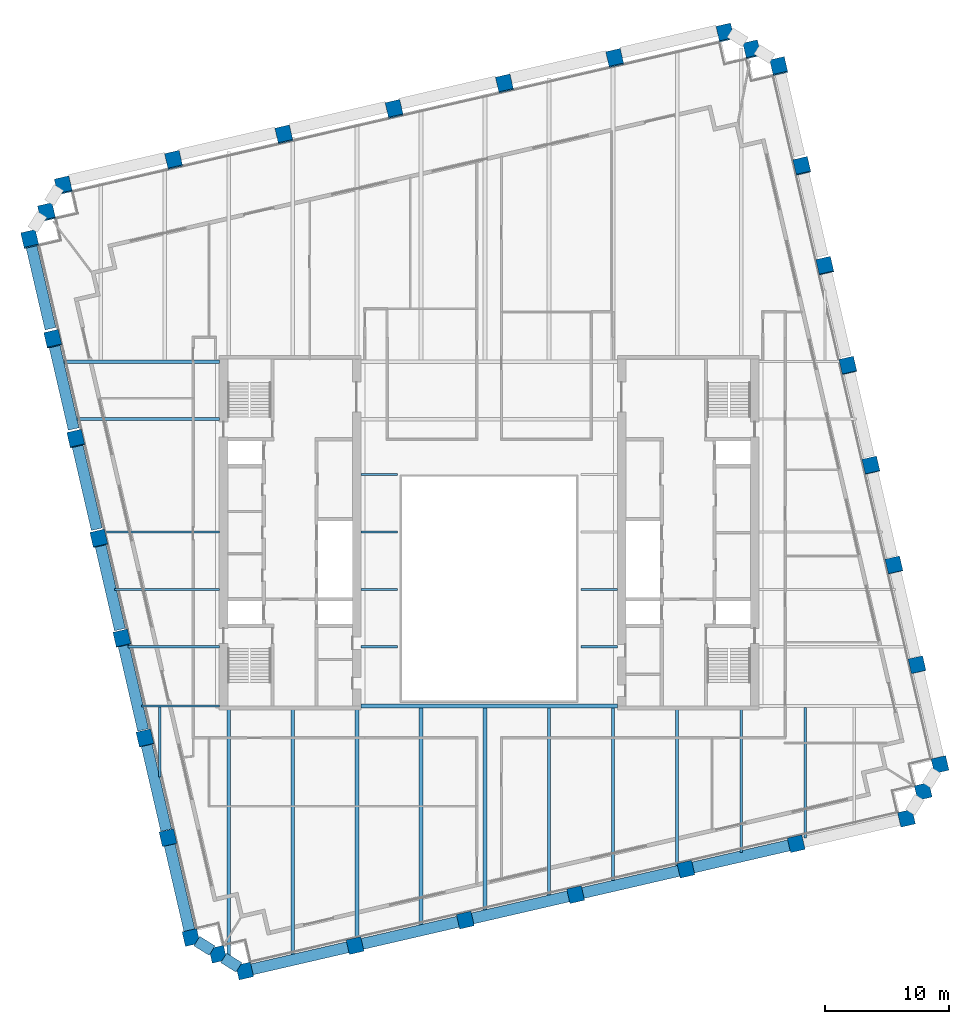
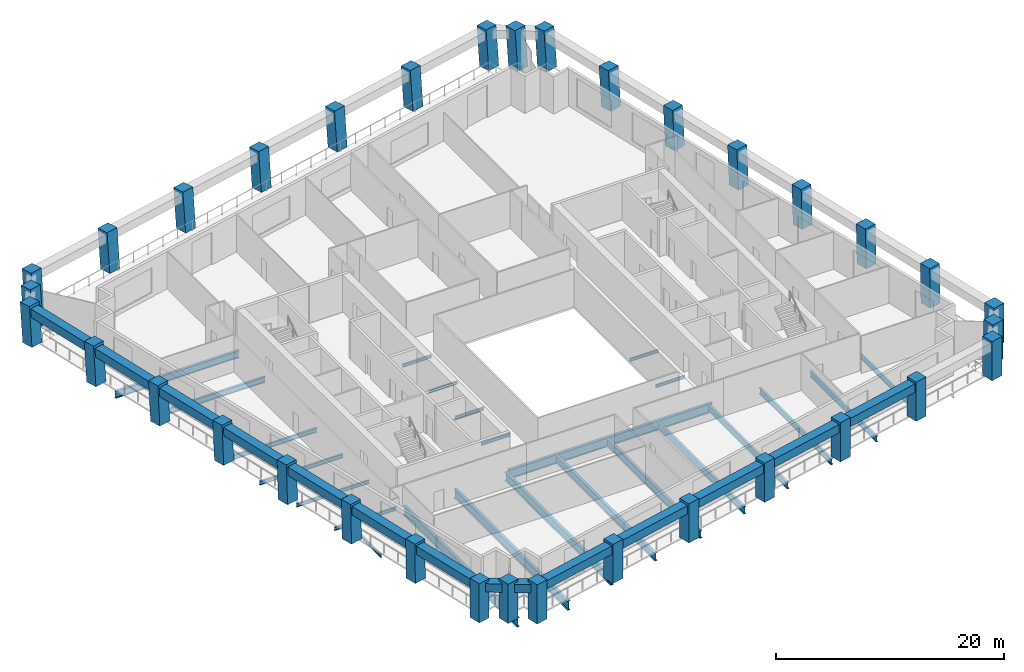
# One storey, part 1 of 10: 38 beams, 34 columns.
"""IFC4 building model written with IfcOpenShell, lengths in metres."""

from ifc_helpers import new_model, si_unit, direction, frame, origin, origin_2d, place, context, subcontext, project, spatial, rectangle, i_section, extrude, material, material_profile, profile_set, type_object, element, save


model = new_model("IFC4")

# Units and contexts
model_context = context("Model", 3, precision=1e-05, world=origin(), true_north=direction((0.0, 1.0)))
body_context = subcontext(model_context, "Body", "Model", "MODEL_VIEW")
ifc_project = project(units=[si_unit("LENGTHUNIT", "METRE"), si_unit("AREAUNIT", "SQUARE_METRE"), si_unit("VOLUMEUNIT", "CUBIC_METRE"), si_unit("PLANEANGLEUNIT", "RADIAN"), si_unit("MASSUNIT", "GRAM", prefix="KILO")], contexts=[model_context])

# Site, building, storey
site_placement = place(None, origin())
site = spatial("IfcSite", under=ifc_project, at=site_placement, CompositionType="ELEMENT")
building_placement = place(site_placement, origin())
building = spatial("IfcBuilding", under=site, at=building_placement, Name="Ogive Exchange Tower", CompositionType="ELEMENT")
storey_placement = place(building_placement, frame((0.0, 0.0, 201.0)))
storey = spatial("IfcBuildingStorey", under=building, at=storey_placement, Name="L44", CompositionType="ELEMENT", Elevation=201.0)

# Columns
ifc_material_1 = material(Name="Precast concrete C70/85 (limestone faced)", Category="masonry")
ifc_material_profile_1 = material_profile(ifc_material_1, rectangle(XDim=1.199951171875, YDim=1.199951171875, at=origin_2d()), Name="1200 x 1200")
ifc_profile_set_1 = profile_set([ifc_material_profile_1], Name="Precast concrete C70/85 (limestone faced)")
column_type = type_object("IfcColumnType", Name="Precast exoskeleton leg 1200 x 1200 C70/85", PredefinedType="COLUMN", material=ifc_profile_set_1)
for number, where, z_axis, x_axis, name in (
    (1, (-19.6494140625, -23.749267578125, 0.0), (0.0, 0.0, 1.0), (0.974370064785, 0.224951054344, 0.0), "Exoskeleton leg 1"),
    (2, (-10.782470703125, -21.7021484375, 0.0), (0.0, 0.0, 1.0), (0.974370064785, 0.224951054344, 0.0), "Exoskeleton leg 2"),
    (3, (-1.915771484375, -19.655029296875, 0.0), (0.0, 0.0, 1.0), (0.974370064785, 0.224951054344, 0.0), "Exoskeleton leg 3"),
    (4, (6.950927734375, -17.60791015625, 0.0), (0.0, 0.0, 1.0), (0.974370064785, 0.224951054344, 0.0), "Exoskeleton leg 4"),
    (5, (15.81787109375, -15.56103515625, 0.0), (0.0, 0.0, 1.0), (0.974370064785, 0.224951054344, 0.0), "Exoskeleton leg 5"),
    (6, (24.6845703125, -13.513916015625, 0.0), (0.0, 0.0, 1.0), (0.974370064785, 0.224951054344, 0.0), "Exoskeleton leg 6"),
    (7, (33.55126953125, -11.466796875, 0.0), (0.0, 0.0, 1.0), (0.974370064785, 0.224951054344, 0.0), "Exoskeleton leg 7"),
    (8, (36.249267578125, -7.1494140625, 0.0), (0.0, 0.0, 1.0), (0.974370064785, 0.224951054344, 0.0), "Exoskeleton leg 8"),
):
    element("IfcColumn", number, at=place(storey_placement, frame(where, z_axis=z_axis, x_axis=x_axis)), inside=storey, type_object=column_type, Name=name, PredefinedType="COLUMN", context=body_context, shape_type="SweptSolid", body=[
        extrude(rectangle(XDim=1.199951171875, YDim=1.199951171875, at=origin_2d()), origin(), (0.0, 0.0, 1.0), 4.199951171875),
    ])
column_1_placement = place(storey_placement, frame((34.39892578125, 0.86474609375, 0.0), z_axis=(-0.00267375834, 0.011741286623, 0.999927493974), x_axis=(-0.975037935076, -0.222038341651, 0.0)))
element("IfcColumn", 9, at=column_1_placement, inside=storey, type_object=column_type, Name="Exoskeleton leg 9", PredefinedType="COLUMN", context=body_context, shape_type="SweptSolid", body=[
    extrude(rectangle(XDim=1.199951171875, YDim=1.199951171875, at=origin_2d()), origin(), (0.0, 0.0, 1.0), 4.2001953125),
])
column_2_placement = place(storey_placement, frame((32.548828125, 8.87890625, 0.0), z_axis=(-0.005404472139, 0.023419379268, 0.999711120452), x_axis=(-0.974391195695, -0.224859506699, 0.0)))
element("IfcColumn", 10, at=column_2_placement, inside=storey, type_object=column_type, Name="Exoskeleton leg 10", PredefinedType="COLUMN", context=body_context, shape_type="SweptSolid", body=[
    extrude(rectangle(XDim=1.199951171875, YDim=1.199951171875, at=origin_2d()), origin(), (0.0, 0.0, 1.0), 4.201171875),
])
column_3_placement = place(storey_placement, frame((30.698486328125, 16.893310546875, 0.0), z_axis=(-0.008074763646, 0.035029370347, 0.999353661826), x_axis=(-0.974445638882, -0.224623455729, 0.0)))
element("IfcColumn", 11, at=column_3_placement, inside=storey, type_object=column_type, Name="Exoskeleton leg 11", PredefinedType="COLUMN", context=body_context, shape_type="SweptSolid", body=[
    extrude(rectangle(XDim=1.199951171875, YDim=1.199951171875, at=origin_2d()), origin(), (0.0, 0.0, 1.0), 4.20263671875),
])
column_4_placement = place(storey_placement, frame((28.848388671875, 24.9072265625, 0.0), z_axis=(-0.010799590338, 0.046798224797, 0.998845981623), x_axis=(-0.974391195695, -0.224859506699, 0.0)))
element("IfcColumn", 12, at=column_4_placement, inside=storey, type_object=column_type, Name="Exoskeleton leg 12", PredefinedType="COLUMN", context=body_context, shape_type="SweptSolid", body=[
    extrude(rectangle(XDim=1.199951171875, YDim=1.199951171875, at=origin_2d()), origin(), (0.0, 0.0, 1.0), 4.204833984375),
])
column_5_placement = place(storey_placement, frame((26.998046875, 32.92138671875, 0.0), z_axis=(-0.013461799865, 0.058373149415, 0.998204064995), x_axis=(-0.974423835271, -0.224718021653, 0.0)))
element("IfcColumn", 13, at=column_5_placement, inside=storey, type_object=column_type, Name="Exoskeleton leg 13", PredefinedType="COLUMN", context=body_context, shape_type="SweptSolid", body=[
    extrude(rectangle(XDim=1.199951171875, YDim=1.199951171875, at=origin_2d()), origin(), (0.0, 0.0, 1.0), 4.20751953125),
])
column_6_placement = place(storey_placement, frame((25.14794921875, 40.935791015625, 0.0), z_axis=(-0.016176212764, 0.069980963462, 0.99741716192), x_axis=(-0.974309502923, -0.225213215672, 0.0)))
element("IfcColumn", 14, at=column_6_placement, inside=storey, type_object=column_type, Name="Exoskeleton leg 14", PredefinedType="COLUMN", context=body_context, shape_type="SweptSolid", body=[
    extrude(rectangle(XDim=1.199951171875, YDim=1.199951171875, at=origin_2d()), origin(), (0.0, 0.0, 1.0), 4.2109375),
])
for number, where, z_axis, x_axis, name in (
    (15, (23.297607421875, 48.94970703125, 0.0), (-0.018825666958, 0.081616506903, 0.99648599592), (-0.974414501624, -0.224758490439, 0.0), "Exoskeleton leg 15"),
    (16, (18.97998046875, 51.647705078125, 0.0), (-0.018825666958, 0.081616506903, 0.99648599592), (-0.974414501624, -0.224758490439, 0.0), "Exoskeleton leg 16"),
    (17, (10.11328125, 49.6005859375, 0.0), (-0.018825666958, 0.081616506903, 0.99648599592), (-0.974414501624, -0.224758490439, 0.0), "Exoskeleton leg 17"),
    (18, (1.24658203125, 47.5537109375, 0.0), (-0.018825755928, 0.08155896722, 0.996490705315), (-0.974379530941, -0.22491004798, 0.0), "Exoskeleton leg 18"),
    (19, (-7.6201171875, 45.506591796875, 0.0), (-0.018883571463, 0.081616417765, 0.996484907603), (-0.974262845894, -0.225414966474, 0.0), "Exoskeleton leg 19"),
    (20, (-16.48681640625, 43.45947265625, 0.0), (-0.018883571463, 0.081616417765, 0.996484907603), (-0.974262845894, -0.225414966474, 0.0), "Exoskeleton leg 20"),
    (21, (-25.353759765625, 41.41259765625, 0.0), (-0.018825755928, 0.08155896722, 0.996490705315), (-0.974379530941, -0.22491004798, 0.0), "Exoskeleton leg 21"),
    (22, (-34.220458984375, 39.365478515625, 0.0), (-0.018825755928, 0.08155896722, 0.996490705315), (-0.974379530941, -0.22491004798, 0.0), "Exoskeleton leg 22"),
    (23, (-36.91845703125, 35.0478515625, 0.0), (-0.018825666958, 0.081616506903, 0.99648599592), (-0.974414501624, -0.224758490439, 0.0), "Exoskeleton leg 23"),
):
    element("IfcColumn", number, at=place(storey_placement, frame(where, z_axis=z_axis, x_axis=x_axis)), inside=storey, type_object=column_type, Name=name, PredefinedType="COLUMN", context=body_context, shape_type="SweptSolid", body=[
        extrude(rectangle(XDim=1.199951171875, YDim=1.199951171875, at=origin_2d()), origin(), (0.0, 0.0, 1.0), 4.21484375),
    ])
column_7_placement = place(storey_placement, frame((-35.068115234375, 27.03369140625, 0.0), z_axis=(-0.016176147103, 0.070038658424, 0.997413113304), x_axis=(-0.97435039746, -0.225036225904, 0.0)))
element("IfcColumn", 24, at=column_7_placement, inside=storey, type_object=column_type, Name="Exoskeleton leg 24", PredefinedType="COLUMN", context=body_context, shape_type="SweptSolid", body=[
    extrude(rectangle(XDim=1.199951171875, YDim=1.199951171875, at=origin_2d()), origin(), (0.0, 0.0, 1.0), 4.2109375),
])
column_8_placement = place(storey_placement, frame((-33.218017578125, 19.01953125, 0.0), z_axis=(-0.013461799865, 0.058373149415, 0.998204064995), x_axis=(-0.974423835271, -0.224718021653, 0.0)))
element("IfcColumn", 25, at=column_8_placement, inside=storey, type_object=column_type, Name="Exoskeleton leg 25", PredefinedType="COLUMN", context=body_context, shape_type="SweptSolid", body=[
    extrude(rectangle(XDim=1.199951171875, YDim=1.199951171875, at=origin_2d()), origin(), (0.0, 0.0, 1.0), 4.20751953125),
])
column_9_placement = place(storey_placement, frame((-31.36767578125, 11.00537109375, 0.0), z_axis=(-0.010799619665, 0.046740289408, 0.998848694028), x_axis=(-0.974329962248, -0.225124686929, 0.0)))
element("IfcColumn", 26, at=column_9_placement, inside=storey, type_object=column_type, Name="Exoskeleton leg 26", PredefinedType="COLUMN", context=body_context, shape_type="SweptSolid", body=[
    extrude(rectangle(XDim=1.199951171875, YDim=1.199951171875, at=origin_2d()), origin(), (0.0, 0.0, 1.0), 4.204833984375),
])
column_10_placement = place(storey_placement, frame((-29.517578125, 2.9912109375, 0.0), z_axis=(-0.0080747472, 0.035087390713, 0.999351626541), x_axis=(-0.974526982896, -0.224270282488, 0.0)))
element("IfcColumn", 27, at=column_10_placement, inside=storey, type_object=column_type, Name="Exoskeleton leg 27", PredefinedType="COLUMN", context=body_context, shape_type="SweptSolid", body=[
    extrude(rectangle(XDim=1.199951171875, YDim=1.199951171875, at=origin_2d()), origin(), (0.0, 0.0, 1.0), 4.20263671875),
])
column_11_placement = place(storey_placement, frame((-27.667236328125, -5.02294921875, 0.0), z_axis=(-0.005404479485, 0.023361298418, 0.999712479335), x_axis=(-0.974268511785, -0.225390476607, 0.0)))
element("IfcColumn", 28, at=column_11_placement, inside=storey, type_object=column_type, Name="Exoskeleton leg 28", PredefinedType="COLUMN", context=body_context, shape_type="SweptSolid", body=[
    extrude(rectangle(XDim=1.199951171875, YDim=1.199951171875, at=origin_2d()), origin(), (0.0, 0.0, 1.0), 4.201171875),
])
column_12_placement = place(storey_placement, frame((-25.817138671875, -13.037109375, 0.0), z_axis=(-0.00267376016, 0.011683169396, 0.9999281747), x_axis=(-0.974798272484, -0.223088161862, 0.0)))
element("IfcColumn", 29, at=column_12_placement, inside=storey, type_object=column_type, Name="Exoskeleton leg 29", PredefinedType="COLUMN", context=body_context, shape_type="SweptSolid", body=[
    extrude(rectangle(XDim=1.199951171875, YDim=1.199951171875, at=origin_2d()), origin(), (0.0, 0.0, 1.0), 4.2001953125),
])
for number, where, z_axis, x_axis, name in (
    (30, (-23.966796875, -21.05126953125, 0.0), (0.0, 0.0, 1.0), (0.974370064785, 0.224951054344, 0.0), "Exoskeleton leg 30"),
    (31, (34.900146484375, -9.30810546875, 0.0), (0.0, 0.0, 1.0), (0.974370064785, 0.224951054344, 0.0), "Exoskeleton leg 31"),
):
    element("IfcColumn", number, at=place(storey_placement, frame(where, z_axis=z_axis, x_axis=x_axis)), inside=storey, type_object=column_type, Name=name, PredefinedType="COLUMN", context=body_context, shape_type="SweptSolid", body=[
        extrude(rectangle(XDim=1.199951171875, YDim=1.199951171875, at=origin_2d()), origin(), (0.0, 0.0, 1.0), 4.199951171875),
    ])
for number, where, z_axis, x_axis, name in (
    (32, (21.138916015625, 50.298828125, 0.0), (-0.018825755928, 0.08155896722, 0.996490705315), (-0.974379530941, -0.22491004798, 0.0), "Exoskeleton leg 32"),
    (33, (-35.5693359375, 37.20654296875, 0.0), (-0.018825666958, 0.081616506903, 0.99648599592), (-0.974414501624, -0.224758490439, 0.0), "Exoskeleton leg 33"),
):
    element("IfcColumn", number, at=place(storey_placement, frame(where, z_axis=z_axis, x_axis=x_axis)), inside=storey, type_object=column_type, Name=name, PredefinedType="COLUMN", context=body_context, shape_type="SweptSolid", body=[
        extrude(rectangle(XDim=1.199951171875, YDim=1.199951171875, at=origin_2d()), origin(), (0.0, 0.0, 1.0), 4.21484375),
    ])
column_13_placement = place(storey_placement, frame((-21.80810546875, -22.400146484375, 0.0), z_axis=(0.0, 0.0, 1.0), x_axis=(0.974370064785, 0.224951054344, 0.0)))
element("IfcColumn", 34, at=column_13_placement, inside=storey, type_object=column_type, Name="Exoskeleton leg 34", PredefinedType="COLUMN", context=body_context, shape_type="SweptSolid", body=[
    extrude(rectangle(XDim=1.199951171875, YDim=1.199951171875, at=origin_2d()), origin(), (0.0, 0.0, 1.0), 4.199951171875),
])

# Beams
ifc_material_2 = material(Name="Steel ASTM A992 Gr50", Category="steel")
ifc_material_profile_2 = material_profile(ifc_material_2, i_section(OverallWidth=0.300048828125, OverallDepth=0.969970703125, WebThickness=0.01611328125, FlangeThickness=0.02099609375, at=origin_2d()), Name="W1000x222")
ifc_profile_set_2 = profile_set([ifc_material_profile_2], Name="Steel ASTM A992 Gr50")
beam_type_1 = type_object("IfcBeamType", Name="Floor beam W1000x222", PredefinedType="JOIST", material=ifc_profile_set_2)
beam_1_placement = place(storey_placement, frame((-20.93115234375, -22.567626953125, -0.68505859375), z_axis=(0.0, 1.0, 0.0), x_axis=(-1.0, 0.0, 0.0)))
element("IfcBeam", 35, at=beam_1_placement, inside=storey, type_object=beam_type_1, Name="Floor beam", PredefinedType="JOIST", context=body_context, shape_type="SweptSolid", body=[
    extrude(i_section(OverallWidth=0.300048828125, OverallDepth=0.969970703125, WebThickness=0.01611328125, FlangeThickness=0.02099609375, at=origin_2d()), origin(), (0.0, 0.0, 1.0), 19.967529296875),
])
beam_2_placement = place(storey_placement, frame((-15.781982421875, -22.54443359375, -0.68505859375), z_axis=(0.0, 1.0, 0.0), x_axis=(-1.0, 0.0, 0.0)))
element("IfcBeam", 36, at=beam_2_placement, inside=storey, type_object=beam_type_1, Name="Floor beam", PredefinedType="JOIST", context=body_context, shape_type="SweptSolid", body=[
    extrude(i_section(OverallWidth=0.300048828125, OverallDepth=0.969970703125, WebThickness=0.01611328125, FlangeThickness=0.02099609375, at=origin_2d()), origin(), (0.0, 0.0, 1.0), 19.9443359375),
])
ifc_material_profile_3 = material_profile(ifc_material_2, i_section(OverallWidth=0.1650390625, OverallDepth=0.31005859375, WebThickness=0.005859375, FlangeThickness=0.009765625, at=origin_2d()), Name="W310x38.7")
ifc_profile_set_3 = profile_set([ifc_material_profile_3], Name="Steel ASTM A992 Gr50")
beam_type_2 = type_object("IfcBeamType", Name="Floor beam W310x38.7", PredefinedType="JOIST", material=ifc_profile_set_3)
for number, where, z_axis, x_axis, name in (
    (37, (-10.320068359375, 2.3212890625, -0.35498046875), (1.0, 0.0, 0.0), (0.0, 1.0, 0.0), "Floor beam"),
    (38, (7.3701171875, 2.3212890625, -0.35498046875), (1.0, 0.0, 0.0), (0.0, 1.0, 0.0), "Floor beam"),
    (39, (-10.320068359375, 6.9326171875, -0.35498046875), (1.0, 0.0, 0.0), (0.0, 1.0, 0.0), "Floor beam"),
    (40, (7.3701171875, 6.9326171875, -0.35498046875), (1.0, 0.0, 0.0), (0.0, 1.0, 0.0), "Floor beam"),
    (41, (-10.320068359375, 11.543701171875, -0.35498046875), (1.0, 0.0, 0.0), (0.0, 1.0, 0.0), "Floor beam"),
):
    element("IfcBeam", number, at=place(storey_placement, frame(where, z_axis=z_axis, x_axis=x_axis)), inside=storey, type_object=beam_type_2, Name=name, PredefinedType="JOIST", context=body_context, shape_type="SweptSolid", body=[
        extrude(i_section(OverallWidth=0.1650390625, OverallDepth=0.31005859375, WebThickness=0.005859375, FlangeThickness=0.009765625, at=origin_2d()), origin(), (0.0, 0.0, 1.0), 2.949951171875),
    ])
beam_3_placement = place(storey_placement, frame((-26.48046875, -8.16357421875, -0.35498046875), z_axis=(0.0, 1.0, 0.0), x_axis=(-1.0, 0.0, 0.0)))
element("IfcBeam", 42, at=beam_3_placement, inside=storey, type_object=beam_type_2, Name="Floor beam", PredefinedType="JOIST", context=body_context, shape_type="SweptSolid", body=[
    extrude(i_section(OverallWidth=0.1650390625, OverallDepth=0.31005859375, WebThickness=0.005859375, FlangeThickness=0.009765625, at=origin_2d()), origin(), (0.0, 0.0, 1.0), 5.633056640625),
])
ifc_material_profile_4 = material_profile(ifc_material_2, i_section(OverallWidth=0.1708984375, OverallDepth=0.35595703125, WebThickness=0.00732421875, FlangeThickness=0.01171875, at=origin_2d()), Name="W360x51")
ifc_profile_set_4 = profile_set([ifc_material_profile_4], Name="Steel ASTM A992 Gr50")
beam_type_3 = type_object("IfcBeamType", Name="Floor beam W360x51", PredefinedType="JOIST", material=ifc_profile_set_4)
beam_4_placement = place(storey_placement, frame((-29.051025390625, 2.3212890625, -0.3779296875), z_axis=(1.0, 0.0, 0.0), x_axis=(0.0, 1.0, 0.0)))
element("IfcBeam", 43, at=beam_4_placement, inside=storey, type_object=beam_type_3, Name="Floor beam", PredefinedType="JOIST", context=body_context, shape_type="SweptSolid", body=[
    extrude(i_section(OverallWidth=0.1708984375, OverallDepth=0.35595703125, WebThickness=0.00732421875, FlangeThickness=0.01171875, at=origin_2d()), origin(), (0.0, 0.0, 1.0), 7.37109375),
])
ifc_material_profile_5 = material_profile(ifc_material_2, i_section(OverallWidth=0.177978515625, OverallDepth=0.406005859375, WebThickness=0.0078125, FlangeThickness=0.0126953125, at=origin_2d()), Name="W410x60")
ifc_profile_set_5 = profile_set([ifc_material_profile_5], Name="Steel ASTM A992 Gr50")
beam_type_4 = type_object("IfcBeamType", Name="Floor beam W410x60", PredefinedType="JOIST", material=ifc_profile_set_5)
beam_5_placement = place(storey_placement, frame((-30.115478515625, 6.9326171875, -0.403076171875), z_axis=(1.0, 0.0, 0.0), x_axis=(0.0, 1.0, 0.0)))
element("IfcBeam", 44, at=beam_5_placement, inside=storey, type_object=beam_type_4, Name="Floor beam", PredefinedType="JOIST", context=body_context, shape_type="SweptSolid", body=[
    extrude(i_section(OverallWidth=0.177978515625, OverallDepth=0.406005859375, WebThickness=0.0078125, FlangeThickness=0.0126953125, at=origin_2d()), origin(), (0.0, 0.0, 1.0), 8.435546875),
])
ifc_material_profile_6 = material_profile(ifc_material_2, i_section(OverallWidth=0.19091796875, OverallDepth=0.45703125, WebThickness=0.009033203125, FlangeThickness=0.014404296875, at=origin_2d()), Name="W460x74")
ifc_profile_set_6 = profile_set([ifc_material_profile_6], Name="Steel ASTM A992 Gr50")
beam_type_5 = type_object("IfcBeamType", Name="Floor beam W460x74", PredefinedType="JOIST", material=ifc_profile_set_6)
beam_6_placement = place(storey_placement, frame((-31.0302734375, 11.543701171875, -0.428466796875), z_axis=(1.0, 0.0, 0.0), x_axis=(0.0, 1.0, 0.0)))
element("IfcBeam", 45, at=beam_6_placement, inside=storey, type_object=beam_type_5, Name="Floor beam", PredefinedType="JOIST", context=body_context, shape_type="SweptSolid", body=[
    extrude(i_section(OverallWidth=0.19091796875, OverallDepth=0.45703125, WebThickness=0.009033203125, FlangeThickness=0.014404296875, at=origin_2d()), origin(), (0.0, 0.0, 1.0), 9.350341796875),
])
ifc_material_profile_7 = material_profile(ifc_material_2, i_section(OverallWidth=0.1669921875, OverallDepth=0.535888671875, WebThickness=0.01025390625, FlangeThickness=0.0166015625, at=origin_2d()), Name="W530x85")
ifc_profile_set_7 = profile_set([ifc_material_profile_7], Name="Steel ASTM A992 Gr50")
beam_type_6 = type_object("IfcBeamType", Name="Floor beam W530x85", PredefinedType="JOIST", material=ifc_profile_set_7)
beam_7_placement = place(storey_placement, frame((25.4111328125, -13.0341796875, -0.468017578125), z_axis=(0.0, 1.0, 0.0), x_axis=(-1.0, 0.0, 0.0)))
element("IfcBeam", 46, at=beam_7_placement, inside=storey, type_object=beam_type_6, Name="Floor beam", PredefinedType="JOIST", context=body_context, shape_type="SweptSolid", body=[
    extrude(i_section(OverallWidth=0.1669921875, OverallDepth=0.535888671875, WebThickness=0.01025390625, FlangeThickness=0.0166015625, at=origin_2d()), origin(), (0.0, 0.0, 1.0), 10.45556640625),
])
ifc_material_profile_8 = material_profile(ifc_material_2, i_section(OverallWidth=0.22802734375, OverallDepth=0.60205078125, WebThickness=0.010498046875, FlangeThickness=0.014892578125, at=origin_2d()), Name="W610x101")
ifc_profile_set_8 = profile_set([ifc_material_profile_8], Name="Steel ASTM A992 Gr50")
beam_type_7 = type_object("IfcBeamType", Name="Floor beam W610x101", PredefinedType="JOIST", material=ifc_profile_set_8)
beam_8_placement = place(storey_placement, frame((-33.126220703125, 20.62255859375, -0.5009765625), z_axis=(1.0, 0.0, 0.0), x_axis=(0.0, 1.0, 0.0)))
element("IfcBeam", 47, at=beam_8_placement, inside=storey, type_object=beam_type_7, Name="Floor beam", PredefinedType="JOIST", context=body_context, shape_type="SweptSolid", body=[
    extrude(i_section(OverallWidth=0.22802734375, OverallDepth=0.60205078125, WebThickness=0.010498046875, FlangeThickness=0.014892578125, at=origin_2d()), origin(), (0.0, 0.0, 1.0), 11.4462890625),
])
beam_9_placement = place(storey_placement, frame((20.261962890625, -14.22314453125, -0.5009765625), z_axis=(0.0, 1.0, 0.0), x_axis=(-1.0, 0.0, 0.0)))
element("IfcBeam", 48, at=beam_9_placement, inside=storey, type_object=beam_type_7, Name="Floor beam", PredefinedType="JOIST", context=body_context, shape_type="SweptSolid", body=[
    extrude(i_section(OverallWidth=0.22802734375, OverallDepth=0.60205078125, WebThickness=0.010498046875, FlangeThickness=0.014892578125, at=origin_2d()), origin(), (0.0, 0.0, 1.0), 11.623046875),
])
ifc_material_profile_9 = material_profile(ifc_material_2, i_section(OverallWidth=0.22900390625, OverallDepth=0.612060546875, WebThickness=0.011962890625, FlangeThickness=0.01953125, at=origin_2d()), Name="W610x125")
ifc_profile_set_9 = profile_set([ifc_material_profile_9], Name="Steel ASTM A992 Gr50")
beam_type_8 = type_object("IfcBeamType", Name="Floor beam W610x125", PredefinedType="JOIST", material=ifc_profile_set_9)
beam_10_placement = place(storey_placement, frame((15.11279296875, -15.261962890625, -0.506103515625), z_axis=(0.0, 1.0, 0.0), x_axis=(-1.0, 0.0, 0.0)))
element("IfcBeam", 49, at=beam_10_placement, inside=storey, type_object=beam_type_8, Name="Floor beam", PredefinedType="JOIST", context=body_context, shape_type="SweptSolid", body=[
    extrude(i_section(OverallWidth=0.22900390625, OverallDepth=0.612060546875, WebThickness=0.011962890625, FlangeThickness=0.01953125, at=origin_2d()), origin(), (0.0, 0.0, 1.0), 12.661865234375),
])
ifc_material_profile_10 = material_profile(ifc_material_2, i_section(OverallWidth=0.25390625, OverallDepth=0.677978515625, WebThickness=0.01171875, FlangeThickness=0.016357421875, at=origin_2d()), Name="W690x125")
ifc_profile_set_10 = profile_set([ifc_material_profile_10], Name="Steel ASTM A992 Gr50")
beam_type_9 = type_object("IfcBeamType", Name="Floor beam W690x125", PredefinedType="JOIST", material=ifc_profile_set_10)
beam_11_placement = place(storey_placement, frame((9.963623046875, -16.45068359375, -0.5390625), z_axis=(0.0, 1.0, 0.0), x_axis=(-1.0, 0.0, 0.0)))
element("IfcBeam", 50, at=beam_11_placement, inside=storey, type_object=beam_type_9, Name="Floor beam", PredefinedType="JOIST", context=body_context, shape_type="SweptSolid", body=[
    extrude(i_section(OverallWidth=0.25390625, OverallDepth=0.677978515625, WebThickness=0.01171875, FlangeThickness=0.016357421875, at=origin_2d()), origin(), (0.0, 0.0, 1.0), 13.855712890625),
])
ifc_material_profile_11 = material_profile(ifc_material_2, i_section(OverallWidth=0.26708984375, OverallDepth=0.75390625, WebThickness=0.01318359375, FlangeThickness=0.01708984375, at=origin_2d()), Name="W760x147")
ifc_profile_set_11 = profile_set([ifc_material_profile_11], Name="Steel ASTM A992 Gr50")
beam_type_10 = type_object("IfcBeamType", Name="Floor beam W760x147", PredefinedType="JOIST", material=ifc_profile_set_11)
beam_12_placement = place(storey_placement, frame((4.814697265625, -17.789306640625, -0.576904296875), z_axis=(0.0, 1.0, 0.0), x_axis=(-1.0, 0.0, 0.0)))
element("IfcBeam", 51, at=beam_12_placement, inside=storey, type_object=beam_type_10, Name="Floor beam", PredefinedType="JOIST", context=body_context, shape_type="SweptSolid", body=[
    extrude(i_section(OverallWidth=0.26708984375, OverallDepth=0.75390625, WebThickness=0.01318359375, FlangeThickness=0.01708984375, at=origin_2d()), origin(), (0.0, 0.0, 1.0), 15.1943359375),
])
ifc_material_profile_12 = material_profile(ifc_material_2, i_section(OverallWidth=0.2919921875, OverallDepth=0.8359375, WebThickness=0.013916015625, FlangeThickness=0.018798828125, at=origin_2d()), Name="W840x176")
ifc_profile_set_12 = profile_set([ifc_material_profile_12], Name="Steel ASTM A992 Gr50")
beam_type_11 = type_object("IfcBeamType", Name="Floor beam W840x176", PredefinedType="JOIST", material=ifc_profile_set_12)
beam_13_placement = place(storey_placement, frame((-5.483642578125, -20.01708984375, -0.617919921875), z_axis=(0.0, 1.0, 0.0), x_axis=(-1.0, 0.0, 0.0)))
element("IfcBeam", 52, at=beam_13_placement, inside=storey, type_object=beam_type_11, Name="Floor beam", PredefinedType="JOIST", context=body_context, shape_type="SweptSolid", body=[
    extrude(i_section(OverallWidth=0.2919921875, OverallDepth=0.8359375, WebThickness=0.013916015625, FlangeThickness=0.018798828125, at=origin_2d()), origin(), (0.0, 0.0, 1.0), 17.422119140625),
])
beam_14_placement = place(storey_placement, frame((-0.334716796875, -18.978271484375, -0.617919921875), z_axis=(0.0, 1.0, 0.0), x_axis=(-1.0, 0.0, 0.0)))
element("IfcBeam", 53, at=beam_14_placement, inside=storey, type_object=beam_type_11, Name="Floor beam", PredefinedType="JOIST", context=body_context, shape_type="SweptSolid", body=[
    extrude(i_section(OverallWidth=0.2919921875, OverallDepth=0.8359375, WebThickness=0.013916015625, FlangeThickness=0.018798828125, at=origin_2d()), origin(), (0.0, 0.0, 1.0), 16.38330078125),
])
ifc_material_profile_13 = material_profile(ifc_material_2, i_section(OverallWidth=0.304931640625, OverallDepth=0.904052734375, WebThickness=0.01513671875, FlangeThickness=0.02001953125, at=origin_2d()), Name="W920x201")
ifc_profile_set_13 = profile_set([ifc_material_profile_13], Name="Steel ASTM A992 Gr50")
beam_type_12 = type_object("IfcBeamType", Name="Floor beam W920x201", PredefinedType="JOIST", material=ifc_profile_set_13)
beam_15_placement = place(storey_placement, frame((-10.6328125, -21.205810546875, -0.652099609375), z_axis=(0.0, 1.0, 0.0), x_axis=(-1.0, 0.0, 0.0)))
element("IfcBeam", 54, at=beam_15_placement, inside=storey, type_object=beam_type_12, Name="Floor beam", PredefinedType="JOIST", context=body_context, shape_type="SweptSolid", body=[
    extrude(i_section(OverallWidth=0.304931640625, OverallDepth=0.904052734375, WebThickness=0.01513671875, FlangeThickness=0.02001953125, at=origin_2d()), origin(), (0.0, 0.0, 1.0), 18.605712890625),
])
ifc_material_profile_14 = material_profile(ifc_material_2, i_section(OverallWidth=0.300048828125, OverallDepth=0.97998046875, WebThickness=0.0166015625, FlangeThickness=0.026123046875, at=origin_2d()), Name="W1000x249")
ifc_profile_set_14 = profile_set([ifc_material_profile_14], Name="Steel ASTM A992 Gr50")
beam_type_13 = type_object("IfcBeamType", Name="Girder W1000x249", PredefinedType="BEAM", material=ifc_profile_set_14)
beam_16_placement = place(storey_placement, frame((-10.320068359375, -2.445068359375, -0.68994140625), z_axis=(1.0, 0.0, 0.0), x_axis=(0.0, 1.0, 0.0)))
element("IfcBeam", 55, at=beam_16_placement, inside=storey, type_object=beam_type_13, Name="Header girder", PredefinedType="BEAM", context=body_context, shape_type="SweptSolid", body=[
    extrude(i_section(OverallWidth=0.300048828125, OverallDepth=0.97998046875, WebThickness=0.0166015625, FlangeThickness=0.026123046875, at=origin_2d()), origin(), (0.0, 0.0, 1.0), 20.64013671875),
])
ifc_material_profile_15 = material_profile(ifc_material_2, i_section(OverallWidth=0.1650390625, OverallDepth=0.31005859375, WebThickness=0.005859375, FlangeThickness=0.009765625, at=origin_2d()), Name="W310x38.7")
ifc_profile_set_15 = profile_set([ifc_material_profile_15], Name="Steel ASTM A992 Gr50")
beam_type_14 = type_object("IfcBeamType", Name="Girder W310x38.7", PredefinedType="BEAM", material=ifc_profile_set_15)
beam_17_placement = place(storey_placement, frame((-10.320068359375, 16.155029296875, -0.35498046875), z_axis=(1.0, 0.0, 0.0), x_axis=(0.0, 1.0, 0.0)))
element("IfcBeam", 56, at=beam_17_placement, inside=storey, type_object=beam_type_14, Name="Trimmer girder", PredefinedType="BEAM", context=body_context, shape_type="SweptSolid", body=[
    extrude(i_section(OverallWidth=0.1650390625, OverallDepth=0.31005859375, WebThickness=0.005859375, FlangeThickness=0.009765625, at=origin_2d()), origin(), (0.0, 0.0, 1.0), 2.949951171875),
])
ifc_material_profile_16 = material_profile(ifc_material_2, i_section(OverallWidth=0.1708984375, OverallDepth=0.35595703125, WebThickness=0.00732421875, FlangeThickness=0.01171875, at=origin_2d()), Name="W360x51")
ifc_profile_set_16 = profile_set([ifc_material_profile_16], Name="Steel ASTM A992 Gr50")
beam_type_15 = type_object("IfcBeamType", Name="Girder W360x51", PredefinedType="BEAM", material=ifc_profile_set_16)
beam_18_placement = place(storey_placement, frame((-27.95068359375, -2.445068359375, -0.3779296875), z_axis=(1.0, 0.0, 0.0), x_axis=(0.0, 1.0, 0.0)))
element("IfcBeam", 57, at=beam_18_placement, inside=storey, type_object=beam_type_15, Name="Header girder", PredefinedType="BEAM", context=body_context, shape_type="SweptSolid", body=[
    extrude(i_section(OverallWidth=0.1708984375, OverallDepth=0.35595703125, WebThickness=0.00732421875, FlangeThickness=0.01171875, at=origin_2d()), origin(), (0.0, 0.0, 1.0), 6.270751953125),
])
ifc_material_profile_17 = material_profile(ifc_material_2, i_section(OverallWidth=0.26708984375, OverallDepth=0.75390625, WebThickness=0.01318359375, FlangeThickness=0.01708984375, at=origin_2d()), Name="W760x147")
ifc_profile_set_17 = profile_set([ifc_material_profile_17], Name="Steel ASTM A992 Gr50")
beam_type_16 = type_object("IfcBeamType", Name="Girder W760x147", PredefinedType="BEAM", material=ifc_profile_set_17)
beam_19_placement = place(storey_placement, frame((-34.193359375, 25.2451171875, -0.576904296875), z_axis=(1.0, 0.0, 0.0), x_axis=(0.0, 1.0, 0.0)))
element("IfcBeam", 58, at=beam_19_placement, inside=storey, type_object=beam_type_16, Name="Header girder", PredefinedType="BEAM", context=body_context, shape_type="SweptSolid", body=[
    extrude(i_section(OverallWidth=0.26708984375, OverallDepth=0.75390625, WebThickness=0.01318359375, FlangeThickness=0.01708984375, at=origin_2d()), origin(), (0.0, 0.0, 1.0), 12.513427734375),
])
ifc_material_profile_18 = material_profile(ifc_material_1, rectangle(XDim=0.89990234375, YDim=0.89990234375, at=origin_2d()), Name="900 x 900")
ifc_profile_set_18 = profile_set([ifc_material_profile_18], Name="Precast concrete C70/85 (limestone faced)")
beam_type_17 = type_object("IfcBeamType", Name="Precast spandrel 900 x 900 C70/85", PredefinedType="SPANDREL", material=ifc_profile_set_18)
beam_20_placement = place(storey_placement, frame((-19.084228515625, -23.61865234375, 3.5), z_axis=(0.974369944206, 0.224951576629, 0.0), x_axis=(-0.224951576629, 0.974369944206, 0.0)))
element("IfcBeam", 59, at=beam_20_placement, inside=storey, type_object=beam_type_17, Name="Spandrel 1", PredefinedType="SPANDREL", context=body_context, shape_type="SweptSolid", body=[
    extrude(rectangle(XDim=0.89990234375, YDim=0.89990234375, at=origin_2d()), origin(), (0.0, 0.0, 1.0), 7.940185546875),
])
beam_21_placement = place(storey_placement, frame((-10.21728515625, -21.57177734375, 3.5), z_axis=(0.974368388194, 0.224958316335, 0.0), x_axis=(-0.224958316335, 0.974368388194, 0.0)))
element("IfcBeam", 60, at=beam_21_placement, inside=storey, type_object=beam_type_17, Name="Spandrel 2", PredefinedType="SPANDREL", context=body_context, shape_type="SweptSolid", body=[
    extrude(rectangle(XDim=0.89990234375, YDim=0.89990234375, at=origin_2d()), origin(), (0.0, 0.0, 1.0), 7.93994140625),
])
for number, where, z_axis, x_axis, name in (
    (61, (-1.3505859375, -19.524658203125, 3.5), (0.974369944206, 0.224951576629, 0.0), (-0.224951576629, 0.974369944206, 0.0), "Spandrel 3"),
    (62, (7.51611328125, -17.4775390625, 3.5), (0.974369944206, 0.224951576629, 0.0), (-0.224951576629, 0.974369944206, 0.0), "Spandrel 4"),
    (63, (16.3828125, -15.430419921875, 3.5), (0.974369944206, 0.224951576629, 0.0), (-0.224951576629, 0.974369944206, 0.0), "Spandrel 5"),
):
    element("IfcBeam", number, at=place(storey_placement, frame(where, z_axis=z_axis, x_axis=x_axis)), inside=storey, type_object=beam_type_17, Name=name, PredefinedType="SPANDREL", context=body_context, shape_type="SweptSolid", body=[
        extrude(rectangle(XDim=0.89990234375, YDim=0.89990234375, at=origin_2d()), origin(), (0.0, 0.0, 1.0), 7.940185546875),
    ])
beam_22_placement = place(storey_placement, frame((-36.8671875, 34.82666015625, 3.5), z_axis=(0.224944705742, -0.974371530454, 0.0), x_axis=(0.974371530454, 0.224944705742, 0.0)))
element("IfcBeam", 64, at=beam_22_placement, inside=storey, type_object=beam_type_17, Name="Spandrel 26", PredefinedType="SPANDREL", context=body_context, shape_type="SweptSolid", body=[
    extrude(rectangle(XDim=0.89990234375, YDim=0.89990234375, at=origin_2d()), origin(), (0.0, 0.0, 1.0), 7.115478515625),
])
for number, where, z_axis, x_axis, name in (
    (65, (-35.005615234375, 26.76318359375, 3.5), (0.224952226322, -0.974369794212, 0.0), (0.974369794212, 0.224952226322, 0.0), "Spandrel 27"),
    (66, (-33.144287109375, 18.699951171875, 3.5), (0.224952226322, -0.974369794212, 0.0), (0.974369794212, 0.224952226322, 0.0), "Spandrel 28"),
):
    element("IfcBeam", number, at=place(storey_placement, frame(where, z_axis=z_axis, x_axis=x_axis)), inside=storey, type_object=beam_type_17, Name=name, PredefinedType="SPANDREL", context=body_context, shape_type="SweptSolid", body=[
        extrude(rectangle(XDim=0.89990234375, YDim=0.89990234375, at=origin_2d()), origin(), (0.0, 0.0, 1.0), 7.115234375),
    ])
for number, where, z_axis, x_axis, name in (
    (67, (-31.28271484375, 10.63671875, 3.5), (0.224977280483, -0.974364009632, 0.0), (0.974364009632, 0.224977280483, 0.0), "Spandrel 29"),
    (68, (-29.421142578125, 2.573486328125, 3.5), (0.224944705742, -0.974371530454, 0.0), (0.974371530454, 0.224944705742, 0.0), "Spandrel 30"),
    (69, (-27.5595703125, -5.48974609375, 3.5), (0.224944705742, -0.974371530454, 0.0), (0.974371530454, 0.224944705742, 0.0), "Spandrel 31"),
    (70, (-25.697998046875, -13.552978515625, 3.5), (0.224944705742, -0.974371530454, 0.0), (0.974371530454, 0.224944705742, 0.0), "Spandrel 32"),
):
    element("IfcBeam", number, at=place(storey_placement, frame(where, z_axis=z_axis, x_axis=x_axis)), inside=storey, type_object=beam_type_17, Name=name, PredefinedType="SPANDREL", context=body_context, shape_type="SweptSolid", body=[
        extrude(rectangle(XDim=0.89990234375, YDim=0.89990234375, at=origin_2d()), origin(), (0.0, 0.0, 1.0), 7.115478515625),
    ])
for number, where, z_axis, x_axis, name in (
    (71, (-23.501708984375, -21.342041015625, 3.5), (0.848074041941, -0.529877740036, 0.0), (0.529877740036, 0.848074041941, 0.0), "Spandrel 33"),
    (72, (-21.343017578125, -22.69091796875, 3.5), (0.848074041941, -0.529877740036, 0.0), (0.529877740036, 0.848074041941, 0.0), "Spandrel 34"),
):
    element("IfcBeam", number, at=place(storey_placement, frame(where, z_axis=z_axis, x_axis=x_axis)), inside=storey, type_object=beam_type_17, Name=name, PredefinedType="SPANDREL", context=body_context, shape_type="SweptSolid", body=[
        extrude(rectangle(XDim=0.89990234375, YDim=0.89990234375, at=origin_2d()), origin(), (0.0, 0.0, 1.0), 1.448486328125),
    ])

save(model, "model.ifc")
